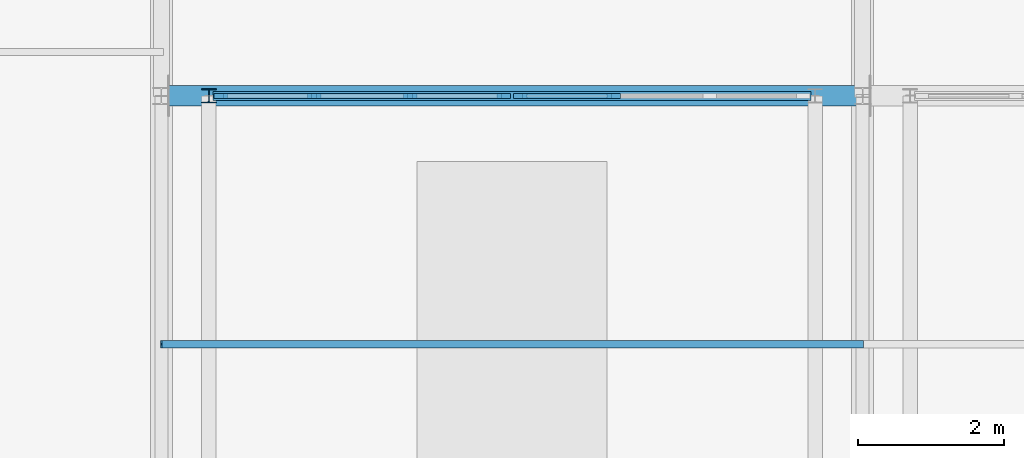
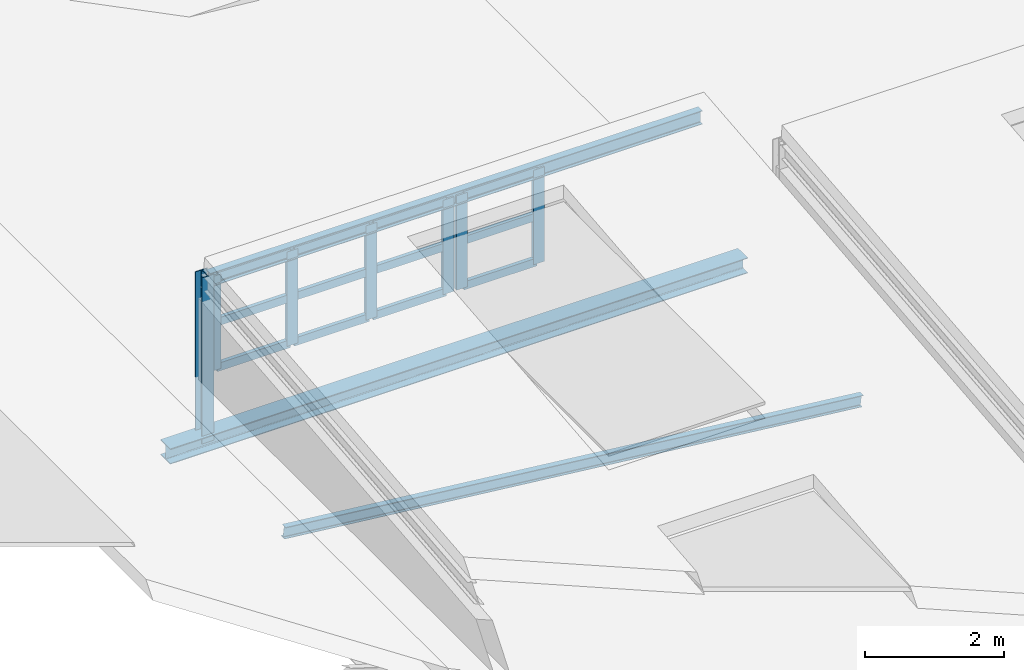
# One storey, part 7 of 30: 20 members, 2 beams, 2 elements without a shape of their own.
"""IFC4 building model written with IfcOpenShell, lengths in metres."""

from ifc_helpers import new_model, si_unit, direction, frame, origin, origin_2d, place, context, subcontext, project, spatial, rectangle, i_section, extrude, material, layer, layer_set, material_profile, profile_set, type_object, element, aggregate, save


model = new_model("IFC4")

# Units and contexts
model_context = context("Model", 3, precision=1e-05, world=origin(), true_north=direction((0.0, 1.0)))
body_context = subcontext(model_context, "Body", "Model", "MODEL_VIEW")
ifc_project = project(units=[si_unit("LENGTHUNIT", "METRE"), si_unit("AREAUNIT", "SQUARE_METRE"), si_unit("VOLUMEUNIT", "CUBIC_METRE"), si_unit("PLANEANGLEUNIT", "RADIAN"), si_unit("MASSUNIT", "GRAM", prefix="KILO")], contexts=[model_context])

# Site, building, storey
site_placement = place(None, origin())
site = spatial("IfcSite", under=ifc_project, at=site_placement, CompositionType="ELEMENT")
building_placement = place(site_placement, origin())
building = spatial("IfcBuilding", under=site, at=building_placement, Name="Alderhovde Museum", CompositionType="ELEMENT")
storey_placement = place(building_placement, frame((0.0, 0.0, 30.699951171875)))
storey = spatial("IfcBuildingStorey", under=building, at=storey_placement, Name="RF", CompositionType="ELEMENT", Elevation=30.699951171875)

# Beams
ifc_material_1 = material(Name="Steel S355J2", Category="steel")
ifc_material_profile_1 = material_profile(ifc_material_1, i_section(OverallWidth=0.280029296875, OverallDepth=0.27001953125, WebThickness=0.008056640625, FlangeThickness=0.012939453125, FilletRadius=0.02392578125, at=origin_2d()), Name="HEA 280")
ifc_profile_set_1 = profile_set([ifc_material_profile_1], Name="Steel S355J2")
beam_type_1 = type_object("IfcBeamType", Name="BM-HEA280", PredefinedType="BEAM", material=ifc_profile_set_1)
beam_1_placement = place(storey_placement, frame((19.199951171875, 71.39990234375, -2.39990234375), z_axis=(1.0, 0.0, 0.0), x_axis=(0.0, 1.0, 0.0)))
element("IfcBeam", 1, at=beam_1_placement, inside=storey, type_object=beam_type_1, Name="Sawtooth Monitor Stringer Bay 2-N", PredefinedType="BEAM", context=body_context, shape_type="SweptSolid", body=[
    extrude(i_section(OverallWidth=0.280029296875, OverallDepth=0.27001953125, WebThickness=0.008056640625, FlangeThickness=0.012939453125, FilletRadius=0.02392578125, at=origin_2d()), origin(), (0.0, 0.0, 1.0), 9.60009765625),
])
ifc_material_2 = material(Name="Steel S355J2", Category="steel")
ifc_material_profile_2 = material_profile(ifc_material_2, i_section(OverallWidth=0.1201171875, OverallDepth=0.239990234375, WebThickness=0.006103515625, FlangeThickness=0.009765625, FilletRadius=0.014892578125, at=origin_2d()), Name="IPE 240")
ifc_profile_set_2 = profile_set([ifc_material_profile_2], Name="Steel S355J2")
beam_type_2 = type_object("IfcBeamType", Name="BM-IPE240", PredefinedType="BEAM", material=ifc_profile_set_2)
beam_2_placement = place(storey_placement, frame((19.909912109375, 71.39990234375, 0.400146484375), z_axis=(1.0, 0.0, 0.0), x_axis=(0.0, 1.0, 0.0)))
element("IfcBeam", 2, at=beam_2_placement, inside=storey, type_object=beam_type_2, Name="Sawtooth Monitor Wedge Rafter Bay 2-N", PredefinedType="BEAM", context=body_context, shape_type="SweptSolid", body=[
    extrude(i_section(OverallWidth=0.1201171875, OverallDepth=0.239990234375, WebThickness=0.006103515625, FlangeThickness=0.009765625, FilletRadius=0.014892578125, at=origin_2d()), origin(), (0.0, 0.0, 1.0), 8.18017578125),
])

# Curtain wall, members
ifc_material_3 = material(Name="Triple-Glazed Bronze-Anodised Curtain Wall", Category="glass")
ifc_layer = layer(ifc_material_3, 0.179931640625)
ifc_layer_set = layer_set([ifc_layer], Name="Triple-Glazed Bronze-Anodised Curtain Wall")
curtain_wall_type = type_object("IfcCurtainWallType", Name="CW-STIC-394x166", PredefinedType="USERDEFINED", material=ifc_layer_set)
curtain_wall_1_placement = place(storey_placement, origin())
curtain_wall_1 = element("IfcCurtainWall", 3, at=curtain_wall_1_placement, inside=storey, type_object=curtain_wall_type, Name="RF Stick Curtain Wall 167", ObjectType="STICK CURTAIN WALL", PredefinedType="USERDEFINED")
ifc_material_4 = material(Name="Bronze-Anodised Aluminium EN AW-6063-T6", Category="aluminium")
ifc_material_profile_3 = material_profile(ifc_material_4, rectangle(XDim=0.06494140625, YDim=0.179931640625, at=origin_2d()), Name="MULLION 65x180")
ifc_profile_set_3 = profile_set([ifc_material_profile_3], Name="Bronze-Anodised Aluminium EN AW-6063-T6")
member_type_1 = type_object("IfcMemberType", Name="CWM-65x180", PredefinedType="MULLION", material=ifc_profile_set_3)
member_1_placement = place(storey_placement, frame((20.012451171875, 71.39990234375, -1.22998046875), z_axis=(0.0, 0.0, 1.0), x_axis=(0.0, 1.0, 0.0)))
member_1 = element("IfcMember", 4, at=member_1_placement, type_object=member_type_1, Name="CW39 mullion 1", PredefinedType="MULLION", context=body_context, shape_type="SweptSolid", body=[
    extrude(rectangle(XDim=0.06494140625, YDim=0.179931640625, at=origin_2d()), origin(), (0.0, 0.0, 1.0), 1.659912109375),
])
member_2_placement = place(storey_placement, frame((21.293212890625, 71.39990234375, -1.22998046875), z_axis=(0.0, 0.0, 1.0), x_axis=(0.0, 1.0, 0.0)))
member_2 = element("IfcMember", 5, at=member_2_placement, type_object=member_type_1, Name="CW39 mullion 2", PredefinedType="MULLION", context=body_context, shape_type="SweptSolid", body=[
    extrude(rectangle(XDim=0.06494140625, YDim=0.179931640625, at=origin_2d()), origin(), (0.0, 0.0, 1.0), 1.659912109375),
])
member_3_placement = place(storey_placement, frame((22.606689453125, 71.39990234375, -1.22998046875), z_axis=(0.0, 0.0, 1.0), x_axis=(0.0, 1.0, 0.0)))
member_3 = element("IfcMember", 6, at=member_3_placement, type_object=member_type_1, Name="CW39 mullion 3", PredefinedType="MULLION", context=body_context, shape_type="SweptSolid", body=[
    extrude(rectangle(XDim=0.06494140625, YDim=0.179931640625, at=origin_2d()), origin(), (0.0, 0.0, 1.0), 1.659912109375),
])
member_4_placement = place(storey_placement, frame((23.887451171875, 71.39990234375, -1.22998046875), z_axis=(0.0, 0.0, 1.0), x_axis=(0.0, 1.0, 0.0)))
member_4 = element("IfcMember", 7, at=member_4_placement, type_object=member_type_1, Name="CW39 mullion 4", PredefinedType="MULLION", context=body_context, shape_type="SweptSolid", body=[
    extrude(rectangle(XDim=0.06494140625, YDim=0.179931640625, at=origin_2d()), origin(), (0.0, 0.0, 1.0), 1.659912109375),
])

curtain_wall_2_placement = place(storey_placement, origin())
curtain_wall_2 = element("IfcCurtainWall", 8, at=curtain_wall_2_placement, inside=storey, type_object=curtain_wall_type, Name="RF Stick Curtain Wall 168", ObjectType="STICK CURTAIN WALL", PredefinedType="USERDEFINED")
member_5_placement = place(storey_placement, frame((24.112548828125, 71.39990234375, -1.22998046875), z_axis=(0.0, 0.0, 1.0), x_axis=(0.0, 1.0, 0.0)))
member_5 = element("IfcMember", 9, at=member_5_placement, type_object=member_type_1, Name="CW39 mullion 1", PredefinedType="MULLION", context=body_context, shape_type="SweptSolid", body=[
    extrude(rectangle(XDim=0.06494140625, YDim=0.179931640625, at=origin_2d()), origin(), (0.0, 0.0, 1.0), 1.659912109375),
])
member_6_placement = place(storey_placement, frame((25.393310546875, 71.39990234375, -1.22998046875), z_axis=(0.0, 0.0, 1.0), x_axis=(0.0, 1.0, 0.0)))
member_6 = element("IfcMember", 10, at=member_6_placement, type_object=member_type_1, Name="CW39 mullion 2", PredefinedType="MULLION", context=body_context, shape_type="SweptSolid", body=[
    extrude(rectangle(XDim=0.06494140625, YDim=0.179931640625, at=origin_2d()), origin(), (0.0, 0.0, 1.0), 1.659912109375),
])

# Member
ifc_material_5 = material(Name="Bronze-Anodised Aluminium EN AW-6063-T6", Category="aluminium")
ifc_material_profile_4 = material_profile(ifc_material_5, rectangle(XDim=0.06494140625, YDim=0.139892578125, at=origin_2d()), Name="TRANSOM 65x140")
ifc_profile_set_4 = profile_set([ifc_material_profile_4], Name="Bronze-Anodised Aluminium EN AW-6063-T6")
member_type_2 = type_object("IfcMemberType", Name="CWT-65x140", PredefinedType="USERDEFINED", material=ifc_profile_set_4)
member_7_placement = place(storey_placement, frame((20.044921875, 71.39990234375, -1.197509765625), z_axis=(1.0, 0.0, 0.0), x_axis=(0.0, 1.0, 0.0)))
member_7 = element("IfcMember", 11, at=member_7_placement, type_object=member_type_2, Name="CW39 transom 1.1", ObjectType="TRANSOM", PredefinedType="USERDEFINED", context=body_context, shape_type="SweptSolid", body=[
    extrude(rectangle(XDim=0.06494140625, YDim=0.139892578125, at=origin_2d()), origin(), (0.0, 0.0, 1.0), 1.2158203125),
])

member_8_placement = place(storey_placement, frame((20.044921875, 71.39990234375, -0.39990234375), z_axis=(1.0, 0.0, 0.0), x_axis=(0.0, 1.0, 0.0)))
member_8 = element("IfcMember", 12, at=member_8_placement, type_object=member_type_2, Name="CW39 transom 1.2", ObjectType="TRANSOM", PredefinedType="USERDEFINED", context=body_context, shape_type="SweptSolid", body=[
    extrude(rectangle(XDim=0.06494140625, YDim=0.139892578125, at=origin_2d()), origin(), (0.0, 0.0, 1.0), 1.2158203125),
])

member_9_placement = place(storey_placement, frame((20.044921875, 71.39990234375, 0.3974609375), z_axis=(1.0, 0.0, 0.0), x_axis=(0.0, 1.0, 0.0)))
member_9 = element("IfcMember", 13, at=member_9_placement, type_object=member_type_2, Name="CW39 transom 1.3", ObjectType="TRANSOM", PredefinedType="USERDEFINED", context=body_context, shape_type="SweptSolid", body=[
    extrude(rectangle(XDim=0.06494140625, YDim=0.139892578125, at=origin_2d()), origin(), (0.0, 0.0, 1.0), 1.2158203125),
])

member_10_placement = place(storey_placement, frame((21.325927734375, 71.39990234375, -1.197509765625), z_axis=(1.0, 0.0, 0.0), x_axis=(0.0, 1.0, 0.0)))
member_10 = element("IfcMember", 14, at=member_10_placement, type_object=member_type_2, Name="CW39 transom 2.1", ObjectType="TRANSOM", PredefinedType="USERDEFINED", context=body_context, shape_type="SweptSolid", body=[
    extrude(rectangle(XDim=0.06494140625, YDim=0.139892578125, at=origin_2d()), origin(), (0.0, 0.0, 1.0), 1.248291015625),
])

member_11_placement = place(storey_placement, frame((21.325927734375, 71.39990234375, -0.39990234375), z_axis=(1.0, 0.0, 0.0), x_axis=(0.0, 1.0, 0.0)))
member_11 = element("IfcMember", 15, at=member_11_placement, type_object=member_type_2, Name="CW39 transom 2.2", ObjectType="TRANSOM", PredefinedType="USERDEFINED", context=body_context, shape_type="SweptSolid", body=[
    extrude(rectangle(XDim=0.06494140625, YDim=0.139892578125, at=origin_2d()), origin(), (0.0, 0.0, 1.0), 1.248291015625),
])

member_12_placement = place(storey_placement, frame((21.325927734375, 71.39990234375, 0.3974609375), z_axis=(1.0, 0.0, 0.0), x_axis=(0.0, 1.0, 0.0)))
member_12 = element("IfcMember", 16, at=member_12_placement, type_object=member_type_2, Name="CW39 transom 2.3", ObjectType="TRANSOM", PredefinedType="USERDEFINED", context=body_context, shape_type="SweptSolid", body=[
    extrude(rectangle(XDim=0.06494140625, YDim=0.139892578125, at=origin_2d()), origin(), (0.0, 0.0, 1.0), 1.248291015625),
])

member_13_placement = place(storey_placement, frame((22.63916015625, 71.39990234375, -1.197509765625), z_axis=(1.0, 0.0, 0.0), x_axis=(0.0, 1.0, 0.0)))
member_13 = element("IfcMember", 17, at=member_13_placement, type_object=member_type_2, Name="CW39 transom 3.1", ObjectType="TRANSOM", PredefinedType="USERDEFINED", context=body_context, shape_type="SweptSolid", body=[
    extrude(rectangle(XDim=0.06494140625, YDim=0.139892578125, at=origin_2d()), origin(), (0.0, 0.0, 1.0), 1.2158203125),
])

member_14_placement = place(storey_placement, frame((22.63916015625, 71.39990234375, -0.39990234375), z_axis=(1.0, 0.0, 0.0), x_axis=(0.0, 1.0, 0.0)))
member_14 = element("IfcMember", 18, at=member_14_placement, type_object=member_type_2, Name="CW39 transom 3.2", ObjectType="TRANSOM", PredefinedType="USERDEFINED", context=body_context, shape_type="SweptSolid", body=[
    extrude(rectangle(XDim=0.06494140625, YDim=0.139892578125, at=origin_2d()), origin(), (0.0, 0.0, 1.0), 1.2158203125),
])

member_15_placement = place(storey_placement, frame((22.63916015625, 71.39990234375, 0.3974609375), z_axis=(1.0, 0.0, 0.0), x_axis=(0.0, 1.0, 0.0)))
member_15 = element("IfcMember", 19, at=member_15_placement, type_object=member_type_2, Name="CW39 transom 3.3", ObjectType="TRANSOM", PredefinedType="USERDEFINED", context=body_context, shape_type="SweptSolid", body=[
    extrude(rectangle(XDim=0.06494140625, YDim=0.139892578125, at=origin_2d()), origin(), (0.0, 0.0, 1.0), 1.2158203125),
])

aggregate(curtain_wall_1, [member_1, member_2, member_3, member_4, member_7, member_8, member_9, member_10, member_11, member_12, member_13, member_14, member_15])

member_16_placement = place(storey_placement, frame((24.14501953125, 71.39990234375, -1.197509765625), z_axis=(1.0, 0.0, 0.0), x_axis=(0.0, 1.0, 0.0)))
member_16 = element("IfcMember", 20, at=member_16_placement, type_object=member_type_2, Name="CW39 transom 1.1", ObjectType="TRANSOM", PredefinedType="USERDEFINED", context=body_context, shape_type="SweptSolid", body=[
    extrude(rectangle(XDim=0.06494140625, YDim=0.139892578125, at=origin_2d()), origin(), (0.0, 0.0, 1.0), 1.2158203125),
])

member_17_placement = place(storey_placement, frame((24.14501953125, 71.39990234375, -0.39990234375), z_axis=(1.0, 0.0, 0.0), x_axis=(0.0, 1.0, 0.0)))
member_17 = element("IfcMember", 21, at=member_17_placement, type_object=member_type_2, Name="CW39 transom 1.2", ObjectType="TRANSOM", PredefinedType="USERDEFINED", context=body_context, shape_type="SweptSolid", body=[
    extrude(rectangle(XDim=0.06494140625, YDim=0.139892578125, at=origin_2d()), origin(), (0.0, 0.0, 1.0), 1.2158203125),
])

member_18_placement = place(storey_placement, frame((24.14501953125, 71.39990234375, 0.3974609375), z_axis=(1.0, 0.0, 0.0), x_axis=(0.0, 1.0, 0.0)))
member_18 = element("IfcMember", 22, at=member_18_placement, type_object=member_type_2, Name="CW39 transom 1.3", ObjectType="TRANSOM", PredefinedType="USERDEFINED", context=body_context, shape_type="SweptSolid", body=[
    extrude(rectangle(XDim=0.06494140625, YDim=0.139892578125, at=origin_2d()), origin(), (0.0, 0.0, 1.0), 1.2158203125),
])

aggregate(curtain_wall_2, [member_5, member_6, member_16, member_17, member_18])

# Members
ifc_material_6 = material(Name="Steel S355J2", Category="steel")
ifc_material_profile_5 = material_profile(ifc_material_6, i_section(OverallWidth=0.10009765625, OverallDepth=0.199951171875, WebThickness=0.005615234375, FlangeThickness=0.008544921875, FilletRadius=0.011962890625, at=origin_2d()), Name="IPE 200")
ifc_profile_set_5 = profile_set([ifc_material_profile_5], Name="Steel S355J2")
member_type_3 = type_object("IfcMemberType", Name="PRL-IPE200", PredefinedType="PURLIN", material=ifc_profile_set_5)
member_19_placement = place(storey_placement, frame((19.199951171875, 68.0, -1.739990234375), z_axis=(0.994201715794, 0.0, -0.107531150432), x_axis=(0.0, 1.0, 0.0)))
element("IfcMember", 23, at=member_19_placement, inside=storey, type_object=member_type_3, Name="Folded Wing Roof Purlin Bay 2 Y=68", PredefinedType="PURLIN", context=body_context, shape_type="SweptSolid", body=[
    extrude(i_section(OverallWidth=0.10009765625, OverallDepth=0.199951171875, WebThickness=0.005615234375, FlangeThickness=0.008544921875, FilletRadius=0.011962890625, at=origin_2d()), origin(), (0.0, 0.0, 1.0), 9.656005859375),
])
ifc_material_7 = material(Name="Steel S355J2", Category="steel")
ifc_material_profile_6 = material_profile(ifc_material_7, i_section(OverallWidth=0.199951171875, OverallDepth=0.18994140625, WebThickness=0.006591796875, FlangeThickness=0.010009765625, FilletRadius=0.01806640625, at=origin_2d()), Name="HEA 200")
ifc_profile_set_6 = profile_set([ifc_material_profile_6], Name="Steel S355J2")
member_type_4 = type_object("IfcMemberType", Name="TR-PS-HEA200", PredefinedType="POST", material=ifc_profile_set_6)
member_20_placement = place(storey_placement, frame((19.85009765625, 71.39990234375, -2.39990234375), z_axis=(0.0, 0.0, 1.0), x_axis=(1.0, 0.0, 0.0)))
element("IfcMember", 24, at=member_20_placement, inside=storey, type_object=member_type_4, Name="Sawtooth Monitor Post Bay 2-4", PredefinedType="POST", context=body_context, shape_type="SweptSolid", body=[
    extrude(i_section(OverallWidth=0.199951171875, OverallDepth=0.18994140625, WebThickness=0.006591796875, FlangeThickness=0.010009765625, FilletRadius=0.01806640625, at=origin_2d()), origin(), (0.0, 0.0, 1.0), 2.919921875),
])

save(model, "model.ifc")
